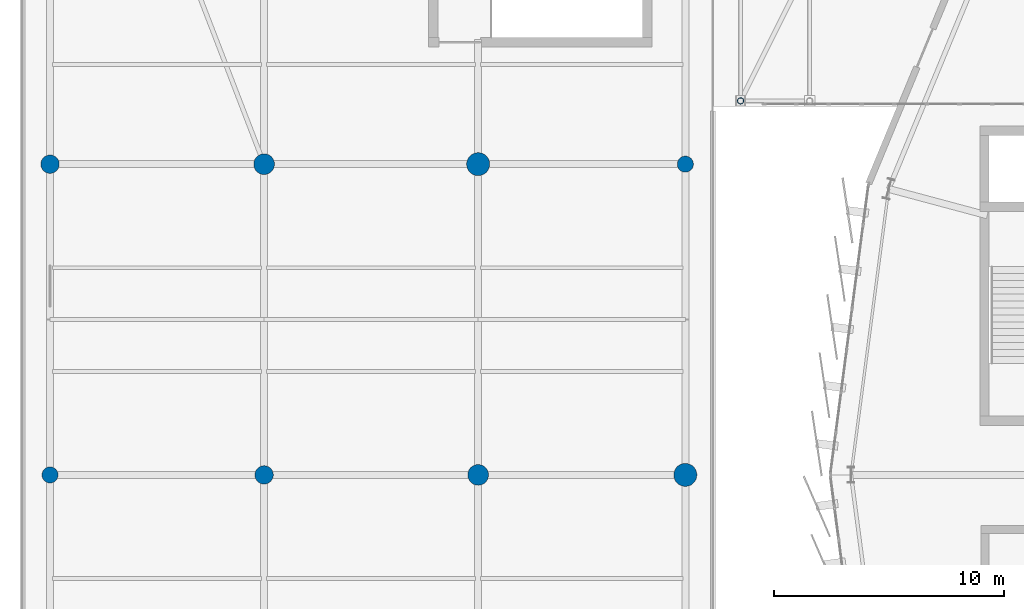
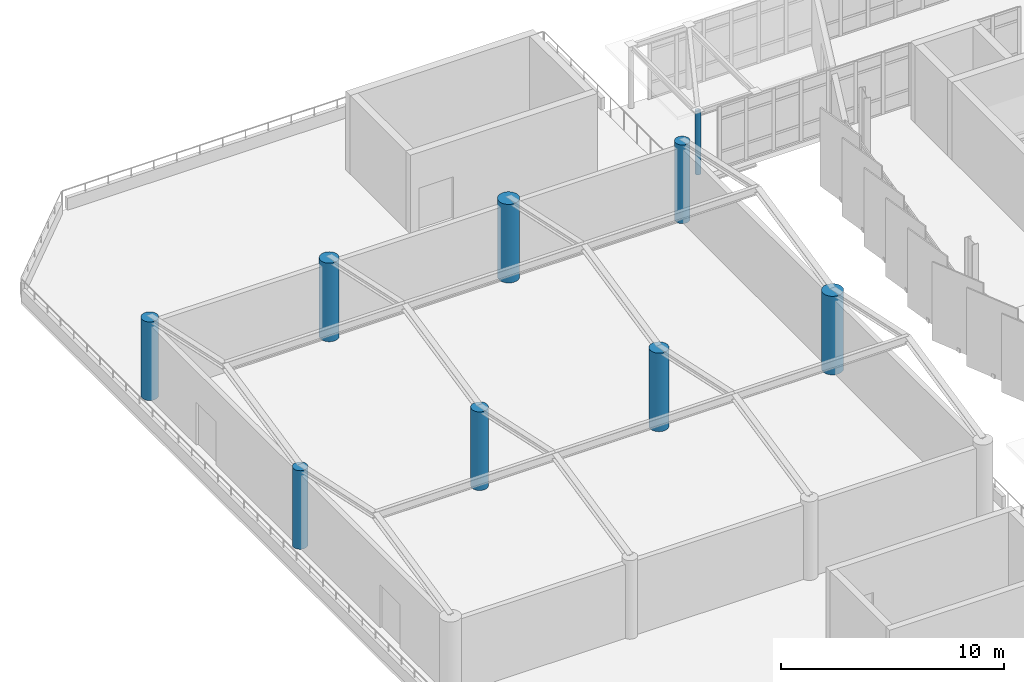
# One storey, part 9 of 120: 9 columns.
"""IFC4 building model written with IfcOpenShell, lengths in metres."""

from ifc_helpers import new_model, si_unit, direction, frame, origin, origin_2d, place, context, subcontext, project, spatial, circle, hollow_circle, extrude, material, material_profile, profile_set, type_object, element, save


model = new_model("IFC4")

# Units and contexts
model_context = context("Model", 3, precision=1e-05, world=origin(), true_north=direction((0.0, 1.0)))
body_context = subcontext(model_context, "Body", "Model", "MODEL_VIEW")
ifc_project = project(units=[si_unit("LENGTHUNIT", "METRE"), si_unit("AREAUNIT", "SQUARE_METRE"), si_unit("VOLUMEUNIT", "CUBIC_METRE"), si_unit("PLANEANGLEUNIT", "RADIAN"), si_unit("MASSUNIT", "GRAM", prefix="KILO")], contexts=[model_context])

# Site, building, storey
site_placement = place(None, origin())
site = spatial("IfcSite", under=ifc_project, at=site_placement, CompositionType="ELEMENT")
building_placement = place(site_placement, origin())
building = spatial("IfcBuilding", under=site, at=building_placement, Name="Sohan Crest Arena", CompositionType="ELEMENT")
storey_placement = place(building_placement, frame((0.0, 0.0, 13.5)))
storey = spatial("IfcBuildingStorey", under=building, at=storey_placement, Name="L03", CompositionType="ELEMENT", Elevation=13.5)

# Columns
ifc_material_1 = material(Name="Concrete C40/50", Category="concrete")
ifc_material_profile_1 = material_profile(ifc_material_1, circle(Radius=0.35009765625, at=origin_2d()), Name="RC D700")
ifc_profile_set_1 = profile_set([ifc_material_profile_1], Name="Concrete C40/50")
column_type_1 = type_object("IfcColumnType", Name="STR-COL-C13", PredefinedType="COLUMN", material=ifc_profile_set_1)
for number, where, z_axis, x_axis, name in (
    (1, (15.199951171875, 78.0, 0.0), (0.0, 0.0, 1.0), (1.0, 0.0, 0.0), "Structural column COL-V3C-13-L03"),
    (2, (42.800048828125, 91.5, 0.0), (0.0, 0.0, 1.0), (1.0, 0.0, 0.0), "Structural column COL-V3C-44-L03"),
):
    element("IfcColumn", number, at=place(storey_placement, frame(where, z_axis=z_axis, x_axis=x_axis)), inside=storey, type_object=column_type_1, Name=name, PredefinedType="COLUMN", context=body_context, shape_type="SweptSolid", body=[
        extrude(circle(Radius=0.35009765625, at=origin_2d()), origin(), (0.0, 0.0, 1.0), 4.304931640625),
    ])
ifc_material_profile_2 = material_profile(ifc_material_1, circle(Radius=0.39990234375, at=origin_2d()), Name="RC D800")
ifc_profile_set_2 = profile_set([ifc_material_profile_2], Name="Concrete C40/50")
column_type_2 = type_object("IfcColumnType", Name="STR-COL-C14", PredefinedType="COLUMN", material=ifc_profile_set_2)
for number, where, z_axis, x_axis, name in (
    (3, (15.199951171875, 91.5, 0.0), (0.0, 0.0, 1.0), (1.0, 0.0, 0.0), "Structural column COL-V3C-14-L03"),
    (4, (24.5, 78.0, 0.0), (0.0, 0.0, 1.0), (1.0, 0.0, 0.0), "Structural column COL-V3C-23-L03"),
):
    element("IfcColumn", number, at=place(storey_placement, frame(where, z_axis=z_axis, x_axis=x_axis)), inside=storey, type_object=column_type_2, Name=name, PredefinedType="COLUMN", context=body_context, shape_type="SweptSolid", body=[
        extrude(circle(Radius=0.39990234375, at=origin_2d()), origin(), (0.0, 0.0, 1.0), 4.304931640625),
    ])
ifc_material_profile_3 = material_profile(ifc_material_1, circle(Radius=0.449951171875, at=origin_2d()), Name="RC D900")
ifc_profile_set_3 = profile_set([ifc_material_profile_3], Name="Concrete C40/50")
column_type_3 = type_object("IfcColumnType", Name="STR-COL-C15", PredefinedType="COLUMN", material=ifc_profile_set_3)
for number, where, z_axis, x_axis, name in (
    (5, (24.5, 91.5, 0.0), (0.0, 0.0, 1.0), (1.0, 0.0, 0.0), "Structural column COL-V3C-24-L03"),
    (6, (33.800048828125, 78.0, 0.0), (0.0, 0.0, 1.0), (1.0, 0.0, 0.0), "Structural column COL-V3C-33-L03"),
):
    element("IfcColumn", number, at=place(storey_placement, frame(where, z_axis=z_axis, x_axis=x_axis)), inside=storey, type_object=column_type_3, Name=name, PredefinedType="COLUMN", context=body_context, shape_type="SweptSolid", body=[
        extrude(circle(Radius=0.449951171875, at=origin_2d()), origin(), (0.0, 0.0, 1.0), 4.304931640625),
    ])
ifc_material_profile_4 = material_profile(ifc_material_1, circle(Radius=0.5, at=origin_2d()), Name="RC D1000")
ifc_profile_set_4 = profile_set([ifc_material_profile_4], Name="Concrete C40/50")
column_type_4 = type_object("IfcColumnType", Name="STR-COL-C16", PredefinedType="COLUMN", material=ifc_profile_set_4)
for number, where, z_axis, x_axis, name in (
    (7, (33.800048828125, 91.5, 0.0), (0.0, 0.0, 1.0), (1.0, 0.0, 0.0), "Structural column COL-V3C-34-L03"),
    (8, (42.800048828125, 78.0, 0.0), (0.0, 0.0, 1.0), (1.0, 0.0, 0.0), "Structural column COL-V3C-43-L03"),
):
    element("IfcColumn", number, at=place(storey_placement, frame(where, z_axis=z_axis, x_axis=x_axis)), inside=storey, type_object=column_type_4, Name=name, PredefinedType="COLUMN", context=body_context, shape_type="SweptSolid", body=[
        extrude(circle(Radius=0.5, at=origin_2d()), origin(), (0.0, 0.0, 1.0), 4.304931640625),
    ])
ifc_material_2 = material(Name="Steel S355", Category="steel")
ifc_material_profile_5 = material_profile(ifc_material_2, hollow_circle(Radius=0.136474609375, WallThickness=0.012451171875, at=origin_2d()), Name="CHS 273x12.5")
ifc_profile_set_5 = profile_set([ifc_material_profile_5], Name="Steel S355")
column_type_5 = type_object("IfcColumnType", Name="STR-COL-C25", PredefinedType="COLUMN", material=ifc_profile_set_5)
column_placement = place(storey_placement, frame((45.199951171875, 94.25, 0.0), z_axis=(0.0, 0.0, 1.0), x_axis=(1.0, 0.0, 0.0)))
element("IfcColumn", 9, at=column_placement, inside=storey, type_object=column_type_5, Name="Structural column COL-BC-BR-W2-1-L03", PredefinedType="COLUMN", context=body_context, shape_type="SweptSolid", body=[
    extrude(hollow_circle(Radius=0.136474609375, WallThickness=0.012451171875, at=origin_2d()), origin(), (0.0, 0.0, 1.0), 3.47509765625),
])

save(model, "model.ifc")
